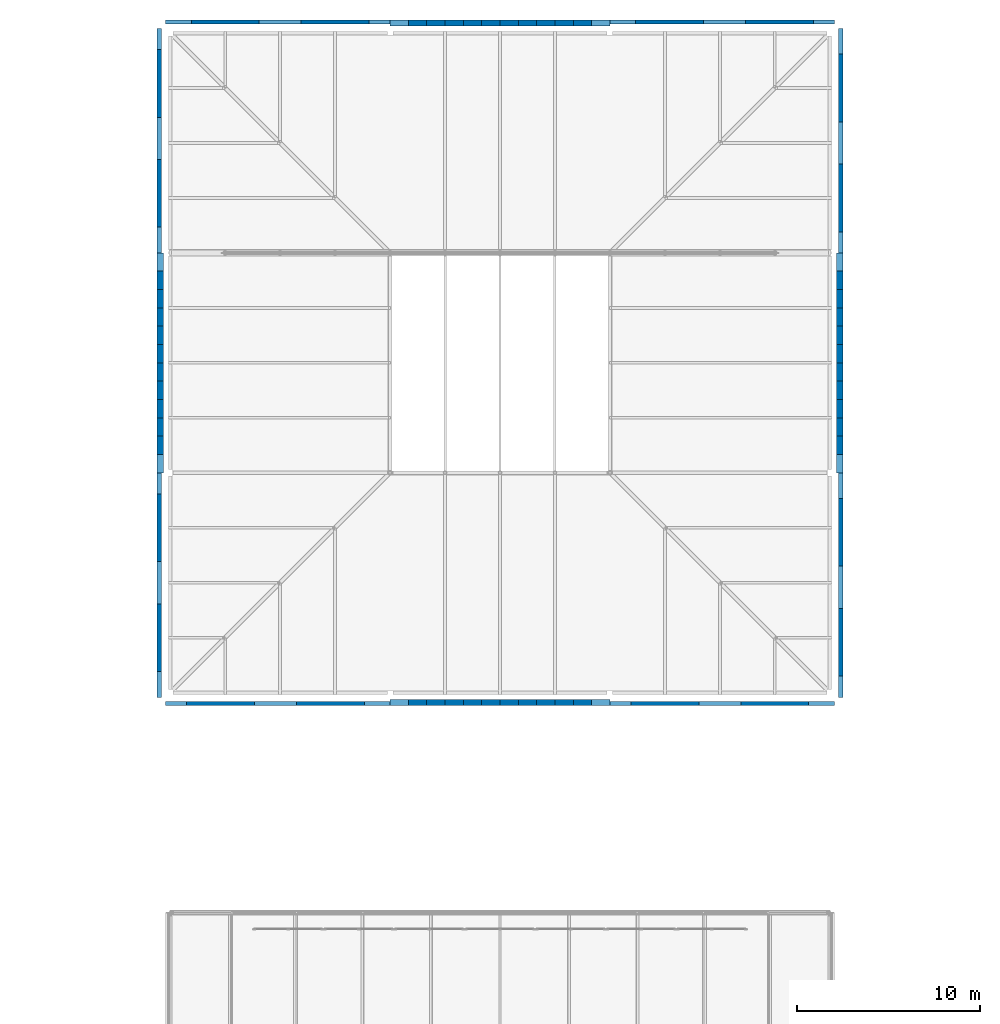
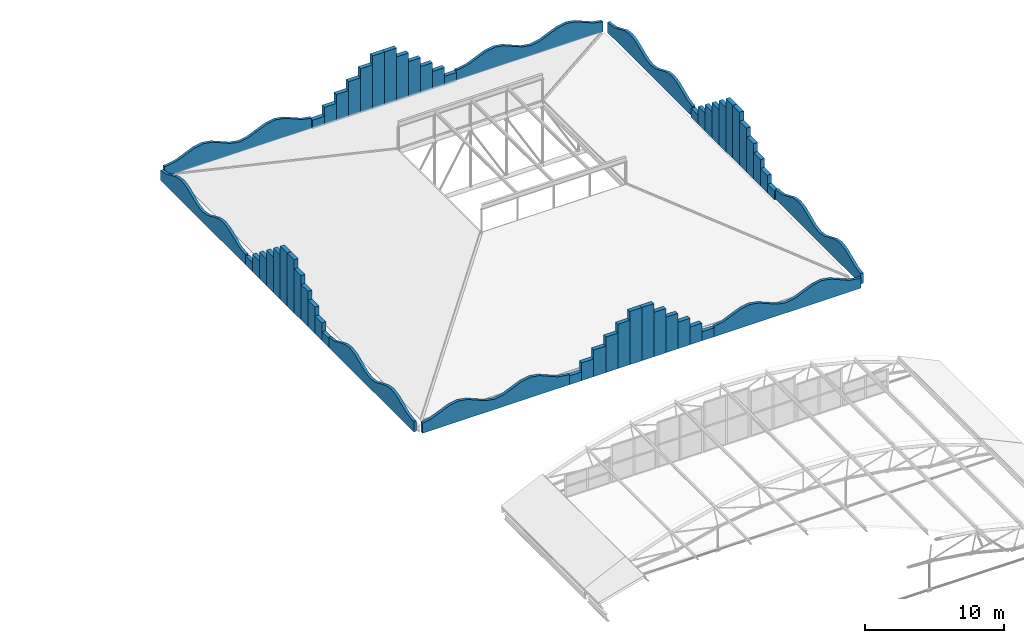
# One storey, part 260 of 321: 56 walls.
"""IFC4 building model written with IfcOpenShell, lengths in metres."""

from ifc_helpers import new_model, si_unit, direction, frame, frame_2d, origin, place, context, subcontext, project, spatial, polyline, rectangle, outline, extrude, material, layer, layer_set, type_object, element, save


model = new_model("IFC4")

# Units and contexts
model_context = context("Model", 3, precision=1e-05, world=origin(), true_north=direction((0.0, 1.0)))
body_context = subcontext(model_context, "Body", "Model", "MODEL_VIEW")
ifc_project = project(units=[si_unit("LENGTHUNIT", "METRE"), si_unit("AREAUNIT", "SQUARE_METRE"), si_unit("VOLUMEUNIT", "CUBIC_METRE"), si_unit("PLANEANGLEUNIT", "RADIAN"), si_unit("MASSUNIT", "GRAM", prefix="KILO")], contexts=[model_context])

# Site, building, storey
site_placement = place(None, origin())
site = spatial("IfcSite", under=ifc_project, at=site_placement, CompositionType="ELEMENT")
building_placement = place(site_placement, origin())
building = spatial("IfcBuilding", under=site, at=building_placement, Name="Ravi Spectrum Wholesale Market", CompositionType="ELEMENT")
storey_placement = place(building_placement, frame((0.0, 0.0, 10.800048828125)))
storey = spatial("IfcBuildingStorey", under=building, at=storey_placement, Name="L02", CompositionType="ELEMENT", Elevation=10.800048828125)

# Walls
ifc_material_1 = material(Name="Clinker brickwork", Category="masonry")
ifc_layer_1 = layer(ifc_material_1, 0.340087890625)
ifc_layer_set_1 = layer_set([ifc_layer_1], Name="Clinker brickwork")
wall_type_1 = type_object("IfcWallType", Name="Brick 340 clinker", PredefinedType="SOLIDWALL", material=ifc_layer_set_1)
wall_1_placement = place(storey_placement, frame((174.0, 197.4599609375, 0.0), z_axis=(0.0, 0.0, 1.0), x_axis=(1.0, 0.0, 0.0)))
element("IfcWall", 1, at=wall_1_placement, inside=storey, type_object=wall_type_1, Name="AU-WL-L02-001", PredefinedType="SOLIDWALL", context=body_context, shape_type="SweptSolid", body=[
    extrude(rectangle(XDim=1.0, YDim=0.340087890625, at=frame_2d((0.5, 0.0))), origin(), (0.0, 0.0, 1.0), 0.780029296875),
])
wall_2_placement = place(storey_placement, frame((175.0, 197.4599609375, 0.0), z_axis=(0.0, 0.0, 1.0), x_axis=(1.0, 0.0, 0.0)))
element("IfcWall", 2, at=wall_2_placement, inside=storey, type_object=wall_type_1, Name="AU-WL-L02-002", PredefinedType="SOLIDWALL", context=body_context, shape_type="SweptSolid", body=[
    extrude(rectangle(XDim=1.0, YDim=0.340087890625, at=frame_2d((0.5, 0.0))), origin(), (0.0, 0.0, 1.0), 1.56005859375),
])
wall_3_placement = place(storey_placement, frame((176.0, 197.4599609375, 0.0), z_axis=(0.0, 0.0, 1.0), x_axis=(1.0, 0.0, 0.0)))
element("IfcWall", 3, at=wall_3_placement, inside=storey, type_object=wall_type_1, Name="AU-WL-L02-003", PredefinedType="SOLIDWALL", context=body_context, shape_type="SweptSolid", body=[
    extrude(rectangle(XDim=1.0, YDim=0.340087890625, at=frame_2d((0.5, 0.0))), origin(), (0.0, 0.0, 1.0), 2.33984375),
])
wall_4_placement = place(storey_placement, frame((177.0, 197.4599609375, 0.0), z_axis=(0.0, 0.0, 1.0), x_axis=(1.0, 0.0, 0.0)))
element("IfcWall", 4, at=wall_4_placement, inside=storey, type_object=wall_type_1, Name="AU-WL-L02-004", PredefinedType="SOLIDWALL", context=body_context, shape_type="SweptSolid", body=[
    extrude(rectangle(XDim=1.0, YDim=0.340087890625, at=frame_2d((0.5, 0.0))), origin(), (0.0, 0.0, 1.0), 3.119873046875),
])
wall_5_placement = place(storey_placement, frame((178.0, 197.4599609375, 0.0), z_axis=(0.0, 0.0, 1.0), x_axis=(1.0, 0.0, 0.0)))
element("IfcWall", 5, at=wall_5_placement, inside=storey, type_object=wall_type_1, Name="AU-WL-L02-005", PredefinedType="SOLIDWALL", context=body_context, shape_type="SweptSolid", body=[
    extrude(rectangle(XDim=1.0, YDim=0.340087890625, at=frame_2d((0.5, 0.0))), origin(), (0.0, 0.0, 1.0), 3.89990234375),
])
for number, where, z_axis, x_axis, name in (
    (6, (179.0, 197.4599609375, 0.0), (0.0, 0.0, 1.0), (1.0, 0.0, 0.0), "AU-WL-L02-006"),
    (7, (180.0, 197.4599609375, 0.0), (0.0, 0.0, 1.0), (1.0, 0.0, 0.0), "AU-WL-L02-007"),
):
    element("IfcWall", number, at=place(storey_placement, frame(where, z_axis=z_axis, x_axis=x_axis)), inside=storey, type_object=wall_type_1, Name=name, PredefinedType="SOLIDWALL", context=body_context, shape_type="SweptSolid", body=[
        extrude(rectangle(XDim=1.0, YDim=0.340087890625, at=frame_2d((0.5, 0.0))), origin(), (0.0, 0.0, 1.0), 4.679931640625),
    ])
wall_6_placement = place(storey_placement, frame((181.0, 197.4599609375, 0.0), z_axis=(0.0, 0.0, 1.0), x_axis=(1.0, 0.0, 0.0)))
element("IfcWall", 8, at=wall_6_placement, inside=storey, type_object=wall_type_1, Name="AU-WL-L02-008", PredefinedType="SOLIDWALL", context=body_context, shape_type="SweptSolid", body=[
    extrude(rectangle(XDim=1.0, YDim=0.340087890625, at=frame_2d((0.5, 0.0))), origin(), (0.0, 0.0, 1.0), 3.89990234375),
])
wall_7_placement = place(storey_placement, frame((182.0, 197.4599609375, 0.0), z_axis=(0.0, 0.0, 1.0), x_axis=(1.0, 0.0, 0.0)))
element("IfcWall", 9, at=wall_7_placement, inside=storey, type_object=wall_type_1, Name="AU-WL-L02-009", PredefinedType="SOLIDWALL", context=body_context, shape_type="SweptSolid", body=[
    extrude(rectangle(XDim=1.0, YDim=0.340087890625, at=frame_2d((0.5, 0.0))), origin(), (0.0, 0.0, 1.0), 3.119873046875),
])
wall_8_placement = place(storey_placement, frame((183.0, 197.4599609375, 0.0), z_axis=(0.0, 0.0, 1.0), x_axis=(1.0, 0.0, 0.0)))
element("IfcWall", 10, at=wall_8_placement, inside=storey, type_object=wall_type_1, Name="AU-WL-L02-010", PredefinedType="SOLIDWALL", context=body_context, shape_type="SweptSolid", body=[
    extrude(rectangle(XDim=1.0, YDim=0.340087890625, at=frame_2d((0.5, 0.0))), origin(), (0.0, 0.0, 1.0), 2.33984375),
])
wall_9_placement = place(storey_placement, frame((184.0, 197.4599609375, 0.0), z_axis=(0.0, 0.0, 1.0), x_axis=(1.0, 0.0, 0.0)))
element("IfcWall", 11, at=wall_9_placement, inside=storey, type_object=wall_type_1, Name="AU-WL-L02-011", PredefinedType="SOLIDWALL", context=body_context, shape_type="SweptSolid", body=[
    extrude(rectangle(XDim=1.0, YDim=0.340087890625, at=frame_2d((0.5, 0.0))), origin(), (0.0, 0.0, 1.0), 1.56005859375),
])
for number, where, z_axis, x_axis, name in (
    (12, (185.0, 197.4599609375, 0.0), (0.0, 0.0, 1.0), (1.0, 0.0, 0.0), "AU-WL-L02-012"),
    (13, (198.5400390625, 210.0, 0.0), (0.0, 0.0, 1.0), (0.0, 1.0, 0.0), "AU-WL-L02-015"),
):
    element("IfcWall", number, at=place(storey_placement, frame(where, z_axis=z_axis, x_axis=x_axis)), inside=storey, type_object=wall_type_1, Name=name, PredefinedType="SOLIDWALL", context=body_context, shape_type="SweptSolid", body=[
        extrude(rectangle(XDim=1.0, YDim=0.340087890625, at=frame_2d((0.5, 0.0))), origin(), (0.0, 0.0, 1.0), 0.780029296875),
    ])
wall_10_placement = place(storey_placement, frame((198.5400390625, 211.0, 0.0), z_axis=(0.0, 0.0, 1.0), x_axis=(0.0, 1.0, 0.0)))
element("IfcWall", 14, at=wall_10_placement, inside=storey, type_object=wall_type_1, Name="AU-WL-L02-016", PredefinedType="SOLIDWALL", context=body_context, shape_type="SweptSolid", body=[
    extrude(rectangle(XDim=1.0, YDim=0.340087890625, at=frame_2d((0.5, 0.0))), origin(), (0.0, 0.0, 1.0), 1.56005859375),
])
wall_11_placement = place(storey_placement, frame((198.5400390625, 212.0, 0.0), z_axis=(0.0, 0.0, 1.0), x_axis=(0.0, 1.0, 0.0)))
element("IfcWall", 15, at=wall_11_placement, inside=storey, type_object=wall_type_1, Name="AU-WL-L02-017", PredefinedType="SOLIDWALL", context=body_context, shape_type="SweptSolid", body=[
    extrude(rectangle(XDim=1.0, YDim=0.340087890625, at=frame_2d((0.5, 0.0))), origin(), (0.0, 0.0, 1.0), 2.33984375),
])
wall_12_placement = place(storey_placement, frame((198.5400390625, 213.0, 0.0), z_axis=(0.0, 0.0, 1.0), x_axis=(0.0, 1.0, 0.0)))
element("IfcWall", 16, at=wall_12_placement, inside=storey, type_object=wall_type_1, Name="AU-WL-L02-018", PredefinedType="SOLIDWALL", context=body_context, shape_type="SweptSolid", body=[
    extrude(rectangle(XDim=1.0, YDim=0.340087890625, at=frame_2d((0.5, 0.0))), origin(), (0.0, 0.0, 1.0), 3.119873046875),
])
wall_13_placement = place(storey_placement, frame((198.5400390625, 214.0, 0.0), z_axis=(0.0, 0.0, 1.0), x_axis=(0.0, 1.0, 0.0)))
element("IfcWall", 17, at=wall_13_placement, inside=storey, type_object=wall_type_1, Name="AU-WL-L02-019", PredefinedType="SOLIDWALL", context=body_context, shape_type="SweptSolid", body=[
    extrude(rectangle(XDim=1.0, YDim=0.340087890625, at=frame_2d((0.5, 0.0))), origin(), (0.0, 0.0, 1.0), 3.89990234375),
])
for number, where, z_axis, x_axis, name in (
    (18, (198.5400390625, 215.0, 0.0), (0.0, 0.0, 1.0), (0.0, 1.0, 0.0), "AU-WL-L02-020"),
    (19, (198.5400390625, 216.0, 0.0), (0.0, 0.0, 1.0), (0.0, 1.0, 0.0), "AU-WL-L02-021"),
):
    element("IfcWall", number, at=place(storey_placement, frame(where, z_axis=z_axis, x_axis=x_axis)), inside=storey, type_object=wall_type_1, Name=name, PredefinedType="SOLIDWALL", context=body_context, shape_type="SweptSolid", body=[
        extrude(rectangle(XDim=1.0, YDim=0.340087890625, at=frame_2d((0.5, 0.0))), origin(), (0.0, 0.0, 1.0), 4.679931640625),
    ])
wall_14_placement = place(storey_placement, frame((198.5400390625, 217.0, 0.0), z_axis=(0.0, 0.0, 1.0), x_axis=(0.0, 1.0, 0.0)))
element("IfcWall", 20, at=wall_14_placement, inside=storey, type_object=wall_type_1, Name="AU-WL-L02-022", PredefinedType="SOLIDWALL", context=body_context, shape_type="SweptSolid", body=[
    extrude(rectangle(XDim=1.0, YDim=0.340087890625, at=frame_2d((0.5, 0.0))), origin(), (0.0, 0.0, 1.0), 3.89990234375),
])
wall_15_placement = place(storey_placement, frame((198.5400390625, 218.0, 0.0), z_axis=(0.0, 0.0, 1.0), x_axis=(0.0, 1.0, 0.0)))
element("IfcWall", 21, at=wall_15_placement, inside=storey, type_object=wall_type_1, Name="AU-WL-L02-023", PredefinedType="SOLIDWALL", context=body_context, shape_type="SweptSolid", body=[
    extrude(rectangle(XDim=1.0, YDim=0.340087890625, at=frame_2d((0.5, 0.0))), origin(), (0.0, 0.0, 1.0), 3.119873046875),
])
wall_16_placement = place(storey_placement, frame((198.5400390625, 219.0, 0.0), z_axis=(0.0, 0.0, 1.0), x_axis=(0.0, 1.0, 0.0)))
element("IfcWall", 22, at=wall_16_placement, inside=storey, type_object=wall_type_1, Name="AU-WL-L02-024", PredefinedType="SOLIDWALL", context=body_context, shape_type="SweptSolid", body=[
    extrude(rectangle(XDim=1.0, YDim=0.340087890625, at=frame_2d((0.5, 0.0))), origin(), (0.0, 0.0, 1.0), 2.33984375),
])
wall_17_placement = place(storey_placement, frame((198.5400390625, 220.0, 0.0), z_axis=(0.0, 0.0, 1.0), x_axis=(0.0, 1.0, 0.0)))
element("IfcWall", 23, at=wall_17_placement, inside=storey, type_object=wall_type_1, Name="AU-WL-L02-025", PredefinedType="SOLIDWALL", context=body_context, shape_type="SweptSolid", body=[
    extrude(rectangle(XDim=1.0, YDim=0.340087890625, at=frame_2d((0.5, 0.0))), origin(), (0.0, 0.0, 1.0), 1.56005859375),
])
for number, where, z_axis, x_axis, name in (
    (24, (198.5400390625, 221.0, 0.0), (0.0, 0.0, 1.0), (0.0, 1.0, 0.0), "AU-WL-L02-026"),
    (25, (186.0, 234.5400390625, 0.0), (0.0, 0.0, 1.0), (-1.0, 0.0, 0.0), "AU-WL-L02-029"),
):
    element("IfcWall", number, at=place(storey_placement, frame(where, z_axis=z_axis, x_axis=x_axis)), inside=storey, type_object=wall_type_1, Name=name, PredefinedType="SOLIDWALL", context=body_context, shape_type="SweptSolid", body=[
        extrude(rectangle(XDim=1.0, YDim=0.340087890625, at=frame_2d((0.5, 0.0))), origin(), (0.0, 0.0, 1.0), 0.780029296875),
    ])
wall_18_placement = place(storey_placement, frame((185.0, 234.5400390625, 0.0), z_axis=(0.0, 0.0, 1.0), x_axis=(-1.0, 0.0, 0.0)))
element("IfcWall", 26, at=wall_18_placement, inside=storey, type_object=wall_type_1, Name="AU-WL-L02-030", PredefinedType="SOLIDWALL", context=body_context, shape_type="SweptSolid", body=[
    extrude(rectangle(XDim=1.0, YDim=0.340087890625, at=frame_2d((0.5, 0.0))), origin(), (0.0, 0.0, 1.0), 1.56005859375),
])
wall_19_placement = place(storey_placement, frame((184.0, 234.5400390625, 0.0), z_axis=(0.0, 0.0, 1.0), x_axis=(-1.0, 0.0, 0.0)))
element("IfcWall", 27, at=wall_19_placement, inside=storey, type_object=wall_type_1, Name="AU-WL-L02-031", PredefinedType="SOLIDWALL", context=body_context, shape_type="SweptSolid", body=[
    extrude(rectangle(XDim=1.0, YDim=0.340087890625, at=frame_2d((0.5, 0.0))), origin(), (0.0, 0.0, 1.0), 2.33984375),
])
wall_20_placement = place(storey_placement, frame((183.0, 234.5400390625, 0.0), z_axis=(0.0, 0.0, 1.0), x_axis=(-1.0, 0.0, 0.0)))
element("IfcWall", 28, at=wall_20_placement, inside=storey, type_object=wall_type_1, Name="AU-WL-L02-032", PredefinedType="SOLIDWALL", context=body_context, shape_type="SweptSolid", body=[
    extrude(rectangle(XDim=1.0, YDim=0.340087890625, at=frame_2d((0.5, 0.0))), origin(), (0.0, 0.0, 1.0), 3.119873046875),
])
wall_21_placement = place(storey_placement, frame((182.0, 234.5400390625, 0.0), z_axis=(0.0, 0.0, 1.0), x_axis=(-1.0, 0.0, 0.0)))
element("IfcWall", 29, at=wall_21_placement, inside=storey, type_object=wall_type_1, Name="AU-WL-L02-033", PredefinedType="SOLIDWALL", context=body_context, shape_type="SweptSolid", body=[
    extrude(rectangle(XDim=1.0, YDim=0.340087890625, at=frame_2d((0.5, 0.0))), origin(), (0.0, 0.0, 1.0), 3.89990234375),
])
for number, where, z_axis, x_axis, name in (
    (30, (181.0, 234.5400390625, 0.0), (0.0, 0.0, 1.0), (-1.0, 0.0, 0.0), "AU-WL-L02-034"),
    (31, (180.0, 234.5400390625, 0.0), (0.0, 0.0, 1.0), (-1.0, 0.0, 0.0), "AU-WL-L02-035"),
):
    element("IfcWall", number, at=place(storey_placement, frame(where, z_axis=z_axis, x_axis=x_axis)), inside=storey, type_object=wall_type_1, Name=name, PredefinedType="SOLIDWALL", context=body_context, shape_type="SweptSolid", body=[
        extrude(rectangle(XDim=1.0, YDim=0.340087890625, at=frame_2d((0.5, 0.0))), origin(), (0.0, 0.0, 1.0), 4.679931640625),
    ])
wall_22_placement = place(storey_placement, frame((179.0, 234.5400390625, 0.0), z_axis=(0.0, 0.0, 1.0), x_axis=(-1.0, 0.0, 0.0)))
element("IfcWall", 32, at=wall_22_placement, inside=storey, type_object=wall_type_1, Name="AU-WL-L02-036", PredefinedType="SOLIDWALL", context=body_context, shape_type="SweptSolid", body=[
    extrude(rectangle(XDim=1.0, YDim=0.340087890625, at=frame_2d((0.5, 0.0))), origin(), (0.0, 0.0, 1.0), 3.89990234375),
])
wall_23_placement = place(storey_placement, frame((178.0, 234.5400390625, 0.0), z_axis=(0.0, 0.0, 1.0), x_axis=(-1.0, 0.0, 0.0)))
element("IfcWall", 33, at=wall_23_placement, inside=storey, type_object=wall_type_1, Name="AU-WL-L02-037", PredefinedType="SOLIDWALL", context=body_context, shape_type="SweptSolid", body=[
    extrude(rectangle(XDim=1.0, YDim=0.340087890625, at=frame_2d((0.5, 0.0))), origin(), (0.0, 0.0, 1.0), 3.119873046875),
])
wall_24_placement = place(storey_placement, frame((177.0, 234.5400390625, 0.0), z_axis=(0.0, 0.0, 1.0), x_axis=(-1.0, 0.0, 0.0)))
element("IfcWall", 34, at=wall_24_placement, inside=storey, type_object=wall_type_1, Name="AU-WL-L02-038", PredefinedType="SOLIDWALL", context=body_context, shape_type="SweptSolid", body=[
    extrude(rectangle(XDim=1.0, YDim=0.340087890625, at=frame_2d((0.5, 0.0))), origin(), (0.0, 0.0, 1.0), 2.33984375),
])
wall_25_placement = place(storey_placement, frame((176.0, 234.5400390625, 0.0), z_axis=(0.0, 0.0, 1.0), x_axis=(-1.0, 0.0, 0.0)))
element("IfcWall", 35, at=wall_25_placement, inside=storey, type_object=wall_type_1, Name="AU-WL-L02-039", PredefinedType="SOLIDWALL", context=body_context, shape_type="SweptSolid", body=[
    extrude(rectangle(XDim=1.0, YDim=0.340087890625, at=frame_2d((0.5, 0.0))), origin(), (0.0, 0.0, 1.0), 1.56005859375),
])
for number, where, z_axis, x_axis, name in (
    (36, (175.0, 234.5400390625, 0.0), (0.0, 0.0, 1.0), (-1.0, 0.0, 0.0), "AU-WL-L02-040"),
    (37, (161.4599609375, 222.0, 0.0), (0.0, 0.0, 1.0), (0.0, -1.0, 0.0), "AU-WL-L02-043"),
):
    element("IfcWall", number, at=place(storey_placement, frame(where, z_axis=z_axis, x_axis=x_axis)), inside=storey, type_object=wall_type_1, Name=name, PredefinedType="SOLIDWALL", context=body_context, shape_type="SweptSolid", body=[
        extrude(rectangle(XDim=1.0, YDim=0.340087890625, at=frame_2d((0.5, 0.0))), origin(), (0.0, 0.0, 1.0), 0.780029296875),
    ])
wall_26_placement = place(storey_placement, frame((161.4599609375, 221.0, 0.0), z_axis=(0.0, 0.0, 1.0), x_axis=(0.0, -1.0, 0.0)))
element("IfcWall", 38, at=wall_26_placement, inside=storey, type_object=wall_type_1, Name="AU-WL-L02-044", PredefinedType="SOLIDWALL", context=body_context, shape_type="SweptSolid", body=[
    extrude(rectangle(XDim=1.0, YDim=0.340087890625, at=frame_2d((0.5, 0.0))), origin(), (0.0, 0.0, 1.0), 1.56005859375),
])
wall_27_placement = place(storey_placement, frame((161.4599609375, 220.0, 0.0), z_axis=(0.0, 0.0, 1.0), x_axis=(0.0, -1.0, 0.0)))
element("IfcWall", 39, at=wall_27_placement, inside=storey, type_object=wall_type_1, Name="AU-WL-L02-045", PredefinedType="SOLIDWALL", context=body_context, shape_type="SweptSolid", body=[
    extrude(rectangle(XDim=1.0, YDim=0.340087890625, at=frame_2d((0.5, 0.0))), origin(), (0.0, 0.0, 1.0), 2.33984375),
])
wall_28_placement = place(storey_placement, frame((161.4599609375, 219.0, 0.0), z_axis=(0.0, 0.0, 1.0), x_axis=(0.0, -1.0, 0.0)))
element("IfcWall", 40, at=wall_28_placement, inside=storey, type_object=wall_type_1, Name="AU-WL-L02-046", PredefinedType="SOLIDWALL", context=body_context, shape_type="SweptSolid", body=[
    extrude(rectangle(XDim=1.0, YDim=0.340087890625, at=frame_2d((0.5, 0.0))), origin(), (0.0, 0.0, 1.0), 3.119873046875),
])
wall_29_placement = place(storey_placement, frame((161.4599609375, 218.0, 0.0), z_axis=(0.0, 0.0, 1.0), x_axis=(0.0, -1.0, 0.0)))
element("IfcWall", 41, at=wall_29_placement, inside=storey, type_object=wall_type_1, Name="AU-WL-L02-047", PredefinedType="SOLIDWALL", context=body_context, shape_type="SweptSolid", body=[
    extrude(rectangle(XDim=1.0, YDim=0.340087890625, at=frame_2d((0.5, 0.0))), origin(), (0.0, 0.0, 1.0), 3.89990234375),
])
for number, where, z_axis, x_axis, name in (
    (42, (161.4599609375, 217.0, 0.0), (0.0, 0.0, 1.0), (0.0, -1.0, 0.0), "AU-WL-L02-048"),
    (43, (161.4599609375, 216.0, 0.0), (0.0, 0.0, 1.0), (0.0, -1.0, 0.0), "AU-WL-L02-049"),
):
    element("IfcWall", number, at=place(storey_placement, frame(where, z_axis=z_axis, x_axis=x_axis)), inside=storey, type_object=wall_type_1, Name=name, PredefinedType="SOLIDWALL", context=body_context, shape_type="SweptSolid", body=[
        extrude(rectangle(XDim=1.0, YDim=0.340087890625, at=frame_2d((0.5, 0.0))), origin(), (0.0, 0.0, 1.0), 4.679931640625),
    ])
wall_30_placement = place(storey_placement, frame((161.4599609375, 215.0, 0.0), z_axis=(0.0, 0.0, 1.0), x_axis=(0.0, -1.0, 0.0)))
element("IfcWall", 44, at=wall_30_placement, inside=storey, type_object=wall_type_1, Name="AU-WL-L02-050", PredefinedType="SOLIDWALL", context=body_context, shape_type="SweptSolid", body=[
    extrude(rectangle(XDim=1.0, YDim=0.340087890625, at=frame_2d((0.5, 0.0))), origin(), (0.0, 0.0, 1.0), 3.89990234375),
])
wall_31_placement = place(storey_placement, frame((161.4599609375, 214.0, 0.0), z_axis=(0.0, 0.0, 1.0), x_axis=(0.0, -1.0, 0.0)))
element("IfcWall", 45, at=wall_31_placement, inside=storey, type_object=wall_type_1, Name="AU-WL-L02-051", PredefinedType="SOLIDWALL", context=body_context, shape_type="SweptSolid", body=[
    extrude(rectangle(XDim=1.0, YDim=0.340087890625, at=frame_2d((0.5, 0.0))), origin(), (0.0, 0.0, 1.0), 3.119873046875),
])
wall_32_placement = place(storey_placement, frame((161.4599609375, 213.0, 0.0), z_axis=(0.0, 0.0, 1.0), x_axis=(0.0, -1.0, 0.0)))
element("IfcWall", 46, at=wall_32_placement, inside=storey, type_object=wall_type_1, Name="AU-WL-L02-052", PredefinedType="SOLIDWALL", context=body_context, shape_type="SweptSolid", body=[
    extrude(rectangle(XDim=1.0, YDim=0.340087890625, at=frame_2d((0.5, 0.0))), origin(), (0.0, 0.0, 1.0), 2.33984375),
])
wall_33_placement = place(storey_placement, frame((161.4599609375, 212.0, 0.0), z_axis=(0.0, 0.0, 1.0), x_axis=(0.0, -1.0, 0.0)))
element("IfcWall", 47, at=wall_33_placement, inside=storey, type_object=wall_type_1, Name="AU-WL-L02-053", PredefinedType="SOLIDWALL", context=body_context, shape_type="SweptSolid", body=[
    extrude(rectangle(XDim=1.0, YDim=0.340087890625, at=frame_2d((0.5, 0.0))), origin(), (0.0, 0.0, 1.0), 1.56005859375),
])
wall_34_placement = place(storey_placement, frame((161.4599609375, 211.0, 0.0), z_axis=(0.0, 0.0, 1.0), x_axis=(0.0, -1.0, 0.0)))
element("IfcWall", 48, at=wall_34_placement, inside=storey, type_object=wall_type_1, Name="AU-WL-L02-054", PredefinedType="SOLIDWALL", context=body_context, shape_type="SweptSolid", body=[
    extrude(rectangle(XDim=1.0, YDim=0.340087890625, at=frame_2d((0.5, 0.0))), origin(), (0.0, 0.0, 1.0), 0.780029296875),
])
ifc_material_2 = material(Name="Facing brickwork", Category="masonry")
ifc_layer_2 = layer(ifc_material_2, 0.22998046875)
ifc_layer_set_2 = layer_set([ifc_layer_2], Name="Facing brickwork")
wall_type_2 = type_object("IfcWallType", Name="Brick parapet 230", PredefinedType="PARAPET", material=ifc_layer_set_2)
for number, where, z_axis, x_axis, name in (
    (49, (161.75, 197.405029296875, 0.0), (0.0, 0.0, 1.0), (1.0, 0.0, 0.0), "AU-WL-L02-013"),
    (50, (186.0, 197.405029296875, 0.0), (0.0, 0.0, 1.0), (1.0, 0.0, 0.0), "AU-WL-L02-014"),
    (51, (198.594970703125, 197.75, 0.0), (0.0, 0.0, 1.0), (0.0, 1.0, 0.0), "AU-WL-L02-027"),
    (52, (198.594970703125, 222.0, 0.0), (0.0, 0.0, 1.0), (0.0, 1.0, 0.0), "AU-WL-L02-028"),
    (53, (198.25, 234.594970703125, 0.0), (0.0, 0.0, 1.0), (-1.0, 0.0, 0.0), "AU-WL-L02-041"),
    (54, (174.0, 234.594970703125, 0.0), (0.0, 0.0, 1.0), (-1.0, 0.0, 0.0), "AU-WL-L02-042"),
    (55, (161.405029296875, 234.25, 0.0), (0.0, 0.0, 1.0), (0.0, -1.0, 0.0), "AU-WL-L02-055"),
    (56, (161.405029296875, 210.0, 0.0), (0.0, 0.0, 1.0), (0.0, -1.0, 0.0), "AU-WL-L02-056"),
):
    element("IfcWall", number, at=place(storey_placement, frame(where, z_axis=z_axis, x_axis=x_axis)), inside=storey, type_object=wall_type_2, Name=name, PredefinedType="PARAPET", context=body_context, shape_type="SweptSolid", body=[
        extrude(outline(polyline([(0.0, 0.0), (12.25, 0.0), (12.25, 0.915283203125), (12.0, 0.89990234375), (11.25, 1.03173828125), (10.5, 1.349853515625), (9.75, 1.668212890625), (9.0, 1.800048828125), (8.25, 1.668212890625), (7.5, 1.349853515625), (6.75, 1.03173828125), (6.0, 0.89990234375), (5.25, 1.03173828125), (4.5, 1.349853515625), (3.75, 1.668212890625), (3.0, 1.800048828125), (2.25, 1.668212890625), (1.5, 1.349853515625), (0.75, 1.03173828125), (0.0, 0.89990234375), (0.0, 0.0)])), frame((0.0, 0.114990234375, 0.0), z_axis=(0.0, -1.0, 0.0), x_axis=(1.0, 0.0, 0.0)), (0.0, 0.0, 1.0), 0.22998046875),
    ])

save(model, "model.ifc")
